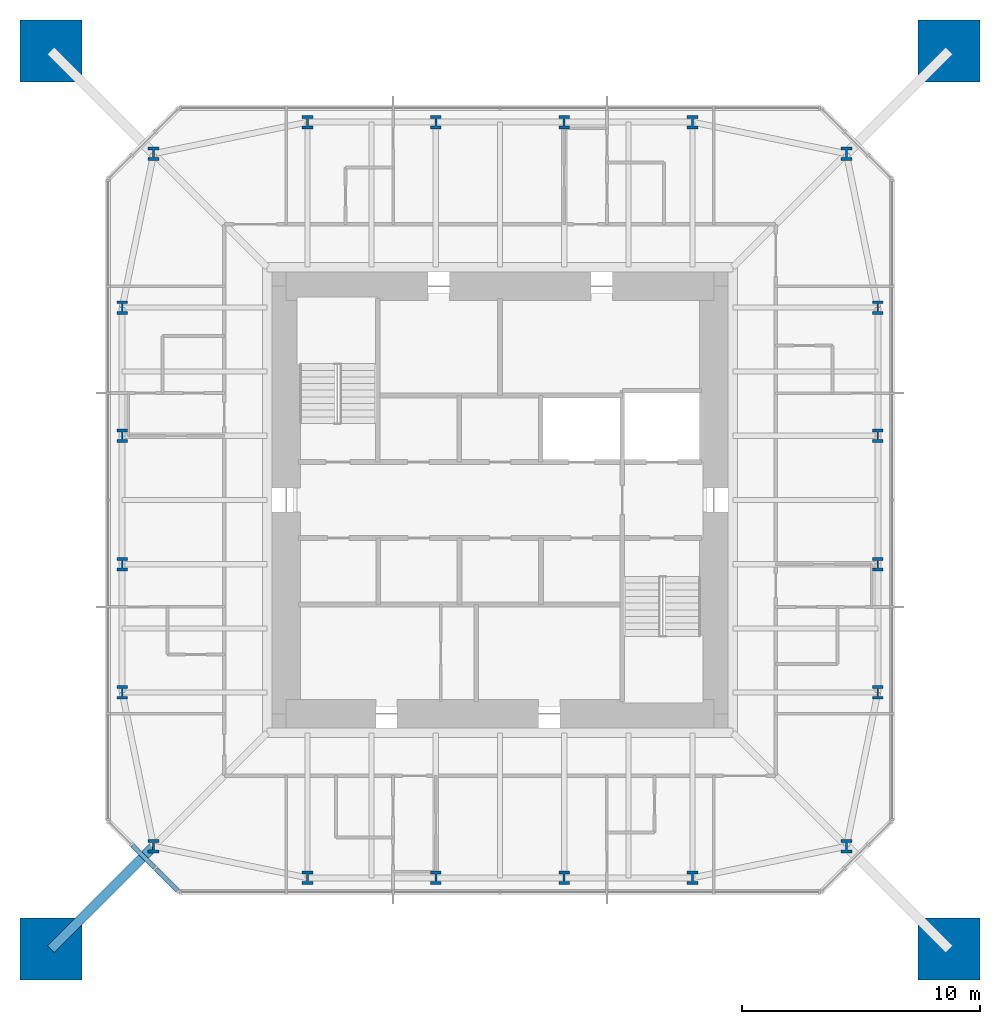
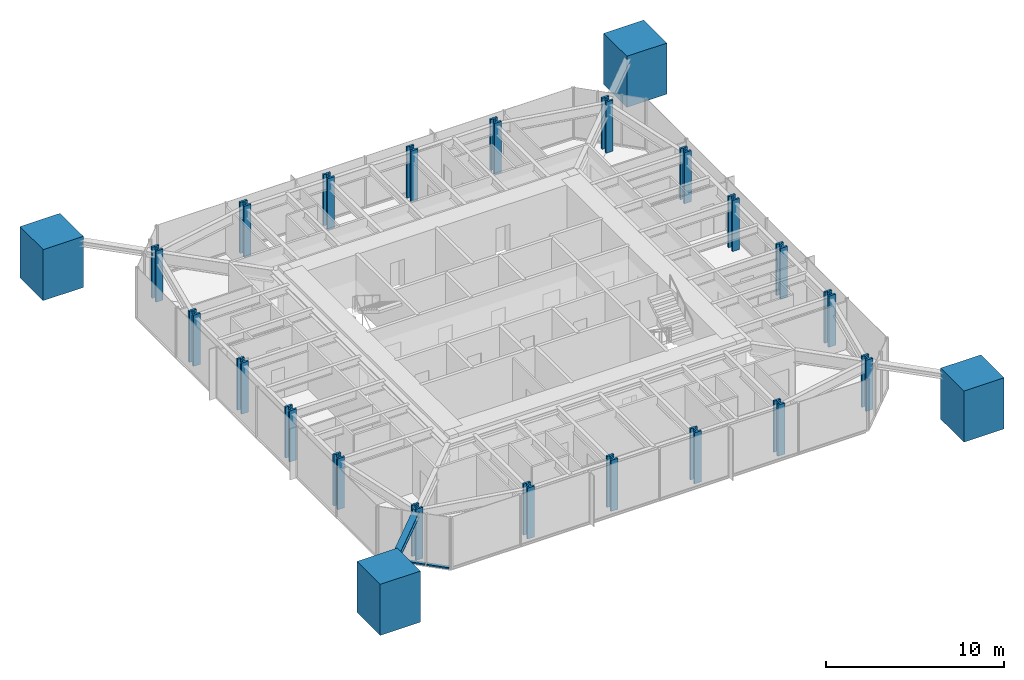
# One storey, part 1 of 9: 24 columns, 3 members, 1 element without a shape of its own.
"""IFC4 building model written with IfcOpenShell, lengths in metres."""

from ifc_helpers import new_model, si_unit, direction, frame, origin, origin_2d, place, context, subcontext, project, spatial, rectangle, i_section, extrude, material, material_profile, profile_set, type_object, element, aggregate, save


model = new_model("IFC4")

# Units and contexts
model_context = context("Model", 3, precision=1e-05, world=origin(), true_north=direction((0.0, 1.0)))
body_context = subcontext(model_context, "Body", "Model", "MODEL_VIEW")
ifc_project = project(units=[si_unit("LENGTHUNIT", "METRE"), si_unit("AREAUNIT", "SQUARE_METRE"), si_unit("VOLUMEUNIT", "CUBIC_METRE"), si_unit("PLANEANGLEUNIT", "RADIAN"), si_unit("MASSUNIT", "GRAM", prefix="KILO")], contexts=[model_context])

# Site, building, storey
site_placement = place(None, origin())
site = spatial("IfcSite", under=ifc_project, at=site_placement, CompositionType="ELEMENT")
building_placement = place(site_placement, origin())
building = spatial("IfcBuilding", under=site, at=building_placement, Name="Iwan Alto Co-Living Towers", CompositionType="ELEMENT")
storey_placement = place(building_placement, frame((0.0, 0.0, 243.0)))
storey = spatial("IfcBuildingStorey", under=building, at=storey_placement, Name="L66", CompositionType="ELEMENT", Elevation=243.0)

# Columns
ifc_material_1 = material(Name="Concrete f'c 70 MPa", Category="concrete")
ifc_material_profile_1 = material_profile(ifc_material_1, rectangle(XDim=2.60009765625, YDim=2.60009765625, at=origin_2d()), Name="RC 2600X2600")
ifc_profile_set_1 = profile_set([ifc_material_profile_1], Name="Concrete f'c 70 MPa")
column_type_1 = type_object("IfcColumnType", Name="T1 MEGA COLUMN RC 2600X2600", PredefinedType="COLUMN", material=ifc_profile_set_1)
for number, where, z_axis, x_axis, name in (
    (1, (-18.89990234375, -18.89990234375, 0.0), (0.0, 0.0, 1.0), (1.0, 0.0, 0.0), "T1 mega column SW L66"),
    (2, (18.89990234375, -18.89990234375, 0.0), (0.0, 0.0, 1.0), (1.0, 0.0, 0.0), "T1 mega column SE L66"),
    (3, (18.89990234375, 18.89990234375, 0.0), (0.0, 0.0, 1.0), (1.0, 0.0, 0.0), "T1 mega column NE L66"),
    (4, (-18.89990234375, 18.89990234375, 0.0), (0.0, 0.0, 1.0), (1.0, 0.0, 0.0), "T1 mega column NW L66"),
):
    element("IfcColumn", number, at=place(storey_placement, frame(where, z_axis=z_axis, x_axis=x_axis)), inside=storey, type_object=column_type_1, Name=name, PredefinedType="COLUMN", context=body_context, shape_type="SweptSolid", body=[
        extrude(rectangle(XDim=2.60009765625, YDim=2.60009765625, at=origin_2d()), origin(), (0.0, 0.0, 1.0), 3.5),
        extrude(i_section(OverallWidth=0.4775390625, OverallDepth=0.599365234375, WebThickness=0.10009765625, FlangeThickness=0.139892578125, at=origin_2d()), origin(), (0.0, 0.0, 1.0), 3.5),
    ])
ifc_material_2 = material(Name="Steel ASTM A992 Gr 50", Category="steel")
ifc_material_profile_2 = material_profile(ifc_material_2, i_section(OverallWidth=0.45458984375, OverallDepth=0.56884765625, WebThickness=0.077880859375, FlangeThickness=0.124755859375, at=origin_2d()), Name="W14X730")
ifc_profile_set_2 = profile_set([ifc_material_profile_2], Name="Steel ASTM A992 Gr 50")
column_type_2 = type_object("IfcColumnType", Name="T1 RING COLUMN W14X730", PredefinedType="COLUMN", material=ifc_profile_set_2)
for number, where, z_axis, x_axis, name in (
    (5, (-14.57568359375, -14.57568359375, 0.0), (0.0, 0.0, 1.0), (1.0, 0.0, 0.0), "T1 ring column CSW L66"),
    (6, (-8.10009765625, -15.89990234375, 0.0), (0.0, 0.0, 1.0), (1.0, 0.0, 0.0), "T1 ring column S1 L66"),
    (7, (-2.699951171875, -15.89990234375, 0.0), (0.0, 0.0, 1.0), (1.0, 0.0, 0.0), "T1 ring column S2 L66"),
    (8, (2.699951171875, -15.89990234375, 0.0), (0.0, 0.0, 1.0), (1.0, 0.0, 0.0), "T1 ring column S3 L66"),
    (9, (8.10009765625, -15.89990234375, 0.0), (0.0, 0.0, 1.0), (1.0, 0.0, 0.0), "T1 ring column S4 L66"),
    (10, (14.57568359375, -14.57568359375, 0.0), (0.0, 0.0, 1.0), (1.0, 0.0, 0.0), "T1 ring column CSE L66"),
    (11, (15.89990234375, -8.10009765625, 0.0), (0.0, 0.0, 1.0), (1.0, 0.0, 0.0), "T1 ring column E1 L66"),
    (12, (15.89990234375, -2.699951171875, 0.0), (0.0, 0.0, 1.0), (1.0, 0.0, 0.0), "T1 ring column E2 L66"),
    (13, (15.89990234375, 2.699951171875, 0.0), (0.0, 0.0, 1.0), (1.0, 0.0, 0.0), "T1 ring column E3 L66"),
    (14, (15.89990234375, 8.10009765625, 0.0), (0.0, 0.0, 1.0), (1.0, 0.0, 0.0), "T1 ring column E4 L66"),
    (15, (14.57568359375, 14.57568359375, 0.0), (0.0, 0.0, 1.0), (1.0, 0.0, 0.0), "T1 ring column CNE L66"),
    (16, (8.10009765625, 15.89990234375, 0.0), (0.0, 0.0, 1.0), (1.0, 0.0, 0.0), "T1 ring column N1 L66"),
    (17, (2.699951171875, 15.89990234375, 0.0), (0.0, 0.0, 1.0), (1.0, 0.0, 0.0), "T1 ring column N2 L66"),
    (18, (-2.699951171875, 15.89990234375, 0.0), (0.0, 0.0, 1.0), (1.0, 0.0, 0.0), "T1 ring column N3 L66"),
    (19, (-8.10009765625, 15.89990234375, 0.0), (0.0, 0.0, 1.0), (1.0, 0.0, 0.0), "T1 ring column N4 L66"),
    (20, (-14.57568359375, 14.57568359375, 0.0), (0.0, 0.0, 1.0), (1.0, 0.0, 0.0), "T1 ring column CNW L66"),
    (21, (-15.89990234375, 8.10009765625, 0.0), (0.0, 0.0, 1.0), (1.0, 0.0, 0.0), "T1 ring column W1 L66"),
    (22, (-15.89990234375, 2.699951171875, 0.0), (0.0, 0.0, 1.0), (1.0, 0.0, 0.0), "T1 ring column W2 L66"),
    (23, (-15.89990234375, -2.699951171875, 0.0), (0.0, 0.0, 1.0), (1.0, 0.0, 0.0), "T1 ring column W3 L66"),
    (24, (-15.89990234375, -8.10009765625, 0.0), (0.0, 0.0, 1.0), (1.0, 0.0, 0.0), "T1 ring column W4 L66"),
):
    element("IfcColumn", number, at=place(storey_placement, frame(where, z_axis=z_axis, x_axis=x_axis)), inside=storey, type_object=column_type_2, Name=name, PredefinedType="COLUMN", context=body_context, shape_type="SweptSolid", body=[
        extrude(i_section(OverallWidth=0.45458984375, OverallDepth=0.56884765625, WebThickness=0.077880859375, FlangeThickness=0.124755859375, at=origin_2d()), origin(), (0.0, 0.0, 1.0), 3.5),
    ])

# Curtain wall, members
ifc_material_3 = material(Name="Bronze aluminium unitised frame", Category="aluminium")
curtain_wall_type = type_object("IfcCurtainWallType", Name="CURTAIN WALL CW-B", PredefinedType="NOTDEFINED", material=ifc_material_3)
curtain_wall_placement = place(storey_placement, origin())
curtain_wall = element("IfcCurtainWall", 25, at=curtain_wall_placement, inside=storey, type_object=curtain_wall_type, Name="T1 chamfer curtain wall SW L66", PredefinedType="NOTDEFINED")
ifc_material_4 = material(Name="Aluminium 6063-T6 bronze anodised", Category="aluminium")
ifc_material_profile_3 = material_profile(ifc_material_4, rectangle(XDim=0.199951171875, YDim=0.10009765625, at=origin_2d()), Name="AL 200X100")
ifc_profile_set_3 = profile_set([ifc_material_profile_3], Name="Aluminium 6063-T6 bronze anodised")
member_type_1 = type_object("IfcMemberType", Name="CW-B TRANSOM 200X100", PredefinedType="USERDEFINED", material=ifc_profile_set_3)
member_1_placement = place(storey_placement, frame((-15.4716796875, -14.5283203125, 0.050048828125), z_axis=(0.707106781187, -0.707106781187, 0.0), x_axis=(0.707106781187, 0.707106781187, 0.0)))
member_1 = element("IfcMember", 26, at=member_1_placement, type_object=member_type_1, Name="CW-B transom 2.1", ObjectType="TRANSOM", PredefinedType="USERDEFINED", context=body_context, shape_type="SweptSolid", body=[
    extrude(rectangle(XDim=0.199951171875, YDim=0.10009765625, at=origin_2d()), origin(), (0.0, 0.0, 1.0), 1.334228515625),
])
member_2_placement = place(storey_placement, frame((-14.4716796875, -15.5283203125, 0.050048828125), z_axis=(0.707106781187, -0.707106781187, 0.0), x_axis=(0.707106781187, 0.707106781187, 0.0)))
member_2 = element("IfcMember", 27, at=member_2_placement, type_object=member_type_1, Name="CW-B transom 3.1", ObjectType="TRANSOM", PredefinedType="USERDEFINED", context=body_context, shape_type="SweptSolid", body=[
    extrude(rectangle(XDim=0.199951171875, YDim=0.10009765625, at=origin_2d()), origin(), (0.0, 0.0, 1.0), 1.2939453125),
])
aggregate(curtain_wall, [member_1, member_2])

# Member
ifc_material_5 = material(Name="Steel ASTM A992 Gr 50", Category="steel")
ifc_material_profile_4 = material_profile(ifc_material_5, i_section(OverallWidth=0.393798828125, OverallDepth=0.3759765625, WebThickness=0.017333984375, FlangeThickness=0.027587890625, at=origin_2d()), Name="W14X145")
ifc_profile_set_4 = profile_set([ifc_material_profile_4], Name="Steel ASTM A992 Gr 50")
member_type_2 = type_object("IfcMemberType", Name="T1 MEGA COLUMN FLOOR TIE W14X145", PredefinedType="STRUT", material=ifc_profile_set_4)
member_3_placement = place(storey_placement, frame((-18.89990234375, -18.89990234375, 3.08203125), z_axis=(0.707106781187, 0.707106781187, 0.0), x_axis=(-0.707106781187, 0.707106781187, 0.0)))
element("IfcMember", 28, at=member_3_placement, inside=storey, type_object=member_type_2, Name="T1 mega column floor tie SW L67", PredefinedType="STRUT", context=body_context, shape_type="SweptSolid", body=[
    extrude(i_section(OverallWidth=0.393798828125, OverallDepth=0.3759765625, WebThickness=0.017333984375, FlangeThickness=0.027587890625, at=origin_2d()), origin(), (0.0, 0.0, 1.0), 6.115478515625),
])

save(model, "model.ifc")
